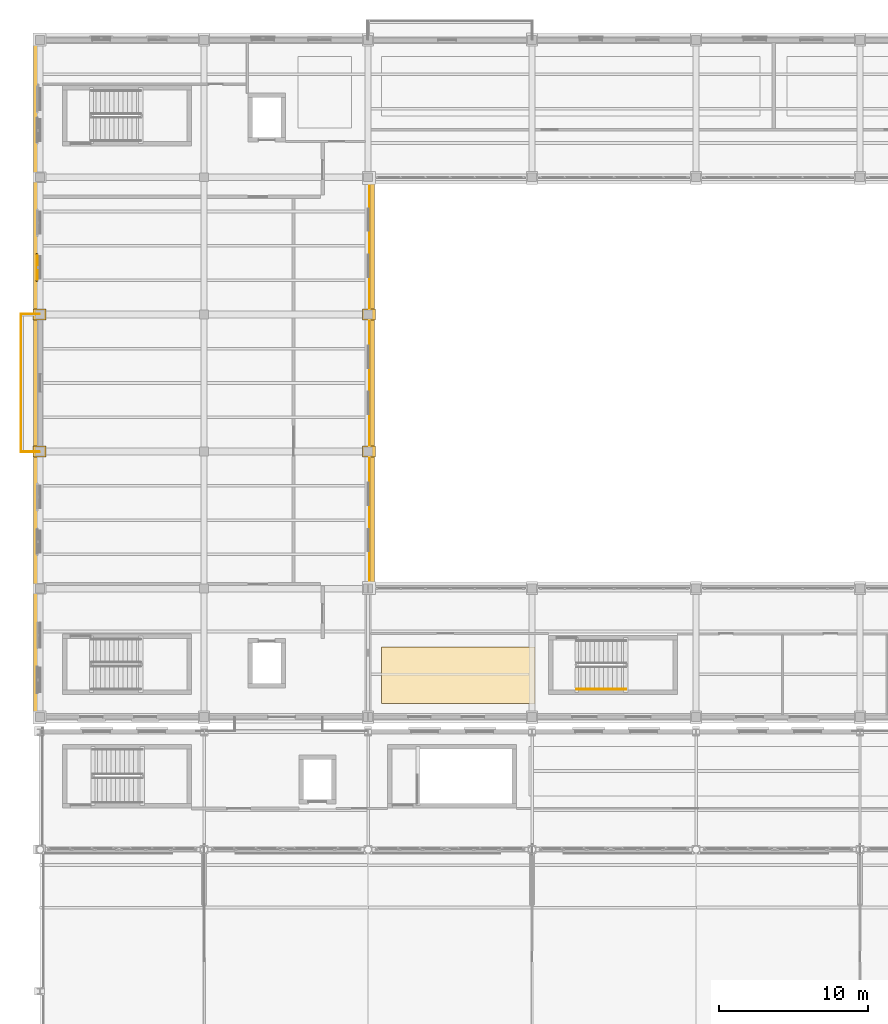
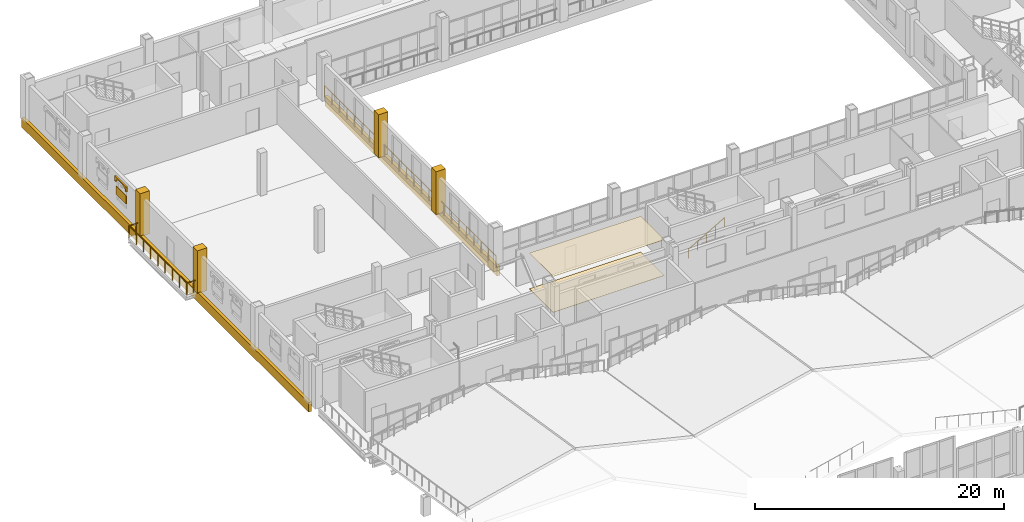
# One storey, part 111 of 120: 9 coverings, 5 railings, 1 shading device.
"""IFC4 building model written with IfcOpenShell, lengths in metres."""

from ifc_helpers import new_model, si_unit, direction, frame, frame_2d, origin, origin_2d, place, context, subcontext, project, spatial, polyline, rectangle, circle, outline, extrude, material, layer, layer_set, type_object, element, save


model = new_model("IFC4")

# Units and contexts
model_context = context("Model", 3, precision=1e-05, world=origin(), true_north=direction((0.0, 1.0)))
body_context = subcontext(model_context, "Body", "Model", "MODEL_VIEW")
ifc_project = project(units=[si_unit("LENGTHUNIT", "METRE"), si_unit("AREAUNIT", "SQUARE_METRE"), si_unit("VOLUMEUNIT", "CUBIC_METRE"), si_unit("PLANEANGLEUNIT", "RADIAN"), si_unit("MASSUNIT", "GRAM", prefix="KILO")], contexts=[model_context])

# Site, building, storey
site_placement = place(None, origin())
site = spatial("IfcSite", under=ifc_project, at=site_placement, CompositionType="ELEMENT")
building_placement = place(site_placement, origin())
building = spatial("IfcBuilding", under=site, at=building_placement, Name="Caurita Quay Ferry Terminal", CompositionType="ELEMENT")
storey_placement = place(building_placement, frame((0.0, 0.0, 9.89990234375)))
storey = spatial("IfcBuildingStorey", under=building, at=storey_placement, Name="L02", CompositionType="ELEMENT", Elevation=9.89990234375)

# Coverings
ifc_material_1 = material(Name="Acoustic mineral fibre tile", Category="finish")
ifc_layer_1 = layer(ifc_material_1, 0.02001953125, Name="Acoustic mineral-fibre suspended ceiling 20 mm")
ifc_layer_set_1 = layer_set([ifc_layer_1], Name="Acoustic mineral fibre tile")
covering_type_1 = type_object("IfcCoveringType", Name="COV-CEIL-020", PredefinedType="CEILING", material=ifc_layer_set_1)
covering_1_placement = place(storey_placement, frame((0.0, 0.0, 3.51220703125)))
element("IfcCovering", 1, at=covering_1_placement, inside=storey, type_object=covering_type_1, Name="Port Boardroom and Hearing Room Acoustic Ceiling", PredefinedType="CEILING", context=body_context, shape_type="SweptSolid", body=[
    extrude(outline(polyline([(22.89990234375, 72.5), (33.199951171875, 72.5), (33.199951171875, 76.300048828125), (22.89990234375, 76.300048828125), (22.89990234375, 72.5)])), origin(), (0.0, 0.0, 1.0), 0.019775390625),
])
ifc_material_2 = material(Name="Coral stone ashlar cladding", Category="masonry")
ifc_layer_2 = layer(ifc_material_2, 0.239990234375, Name="Classical coral-stone entablature and cornice moulding 240 mm")
ifc_layer_set_2 = layer_set([ifc_layer_2], Name="Coral stone ashlar cladding")
covering_type_2 = type_object("IfcCoveringType", Name="COV-ENT-MLD", PredefinedType="MOLDING", material=ifc_layer_set_2)
covering_2_placement = place(storey_placement, frame((-0.300048828125, 117.300048828125, -0.849853515625), z_axis=(0.0, 0.0, 1.0), x_axis=(0.0, -1.0, 0.0)))
element("IfcCovering", 2, at=covering_2_placement, inside=storey, type_object=covering_type_2, Name="L02 Classical Entablature Cornice 007", PredefinedType="MOLDING", context=body_context, shape_type="SweptSolid", body=[
    extrude(rectangle(XDim=46.0, YDim=0.280029296875, at=frame_2d((23.0, 0.0))), origin(), (0.0, 0.0, 1.0), 0.929931640625),
])
covering_3_placement = place(storey_placement, frame((22.280029296875, 80.199951171875, -0.849853515625), z_axis=(0.0, 0.0, 1.0), x_axis=(0.0, 1.0, 0.0)))
element("IfcCovering", 3, at=covering_3_placement, inside=storey, type_object=covering_type_2, Name="L02 Classical Entablature Cornice 025", PredefinedType="MOLDING", context=body_context, shape_type="SweptSolid", body=[
    extrude(rectangle(XDim=27.60009765625, YDim=0.280029296875, at=frame_2d((13.800048828125, 0.0))), origin(), (0.0, 0.0, 1.0), 0.929931640625),
])
ifc_material_3 = material(Name="Polished marine terrazzo tile", Category="finish")
ifc_layer_3 = layer(ifc_material_3, 0.02490234375, Name="Polished marine terrazzo floor finish 25 mm")
ifc_layer_set_3 = layer_set([ifc_layer_3], Name="Polished marine terrazzo tile")
covering_type_3 = type_object("IfcCoveringType", Name="COV-FLR-025", PredefinedType="FLOORING", material=ifc_layer_set_3)
covering_4_placement = place(storey_placement, origin())
element("IfcCovering", 4, at=covering_4_placement, inside=storey, type_object=covering_type_3, Name="Port Boardroom and Hearing Room Terrazzo Flooring", PredefinedType="FLOORING", context=body_context, shape_type="SweptSolid", body=[
    extrude(outline(polyline([(22.89990234375, 72.5), (33.199951171875, 72.5), (33.199951171875, 76.300048828125), (22.89990234375, 76.300048828125), (22.89990234375, 72.5)])), origin(), (0.0, 0.0, 1.0), 0.025146484375),
])
ifc_material_4 = material(Name="Warm-white lime stucco masonry", Category="masonry")
ifc_layer_4 = layer(ifc_material_4, 0.179931640625, Name="Classical engaged lime-stucco facade pilaster cladding 180 mm")
ifc_layer_set_4 = layer_set([ifc_layer_4], Name="Warm-white lime stucco masonry")
covering_type_4 = type_object("IfcCoveringType", Name="COV-PIL-CLD", PredefinedType="CLADDING", material=ifc_layer_set_4)
for number, where, z_axis, x_axis, name in (
    (5, (-0.050048828125, 89.39990234375, 0.0), (0.0, 0.0, 1.0), (1.0, 0.0, 0.0), "L02 Classical Engaged Pilaster 0278"),
    (6, (-0.050048828125, 98.60009765625, 0.0), (0.0, 0.0, 1.0), (1.0, 0.0, 0.0), "L02 Classical Engaged Pilaster 0283"),
    (7, (22.050048828125, 89.39990234375, 0.0), (0.0, 0.0, 1.0), (1.0, 0.0, 0.0), "L02 Classical Engaged Pilaster 0314"),
    (8, (22.050048828125, 98.60009765625, 0.0), (0.0, 0.0, 1.0), (1.0, 0.0, 0.0), "L02 Classical Engaged Pilaster 0317"),
):
    element("IfcCovering", number, at=place(storey_placement, frame(where, z_axis=z_axis, x_axis=x_axis)), inside=storey, type_object=covering_type_4, Name=name, PredefinedType="CLADDING", context=body_context, shape_type="SweptSolid", body=[
        extrude(rectangle(XDim=0.8798828125, YDim=0.719970703125, at=origin_2d()), origin(), (0.0, 0.0, 1.0), 4.199951171875),
    ])
ifc_layer_5 = layer(ifc_material_2, 0.139892578125, Name="Spanish Colonial semicircular arched window surround 140 mm")
ifc_layer_set_5 = layer_set([ifc_layer_5], Name="Coral stone ashlar cladding")
covering_type_5 = type_object("IfcCoveringType", Name="COV-WHD-MLD", PredefinedType="MOLDING", material=ifc_layer_set_5)
covering_5_placement = place(storey_placement, frame((-0.215087890625, 102.679931640625, 2.72998046875), z_axis=(0.0, 0.0, 1.0), x_axis=(0.0, -1.0, 0.0)))
element("IfcCovering", 9, at=covering_5_placement, inside=storey, type_object=covering_type_5, Name="L02 Arched Window Surround 043", PredefinedType="MOLDING", context=body_context, shape_type="SweptSolid", body=[
    extrude(outline(polyline([(0.0, 0.0), (0.159912109375, 0.0), (0.159912109375, 0.0400390625), (0.19775390625, 0.1513671875), (0.30712890625, 0.251708984375), (0.477294921875, 0.331298828125), (0.69189453125, 0.38232421875), (0.929931640625, 0.39990234375), (1.16796875, 0.38232421875), (1.382568359375, 0.331298828125), (1.552734375, 0.251708984375), (1.662109375, 0.1513671875), (1.699951171875, 0.0400390625), (1.699951171875, 0.0), (1.85986328125, 0.0), (1.85986328125, 0.480224609375), (0.0, 0.480224609375), (0.0, 0.0)])), frame((0.0, 0.06982421875, 0.0), z_axis=(0.0, -1.0, 0.0), x_axis=(1.0, 0.0, 0.0)), (0.0, 0.0, 1.0), 0.139892578125),
])

# Railings
ifc_material_5 = material(Name="Bronze architectural metalwork", Category="metal")
railing_type_1 = type_object("IfcRailingType", Name="RL-HND-090", PredefinedType="HANDRAIL", material=ifc_material_5)
railing_1_placement = place(storey_placement, frame((36.0, 73.449951171875, 0.175048828125)))
element("IfcRailing", 10, at=railing_1_placement, inside=storey, type_object=railing_type_1, Name="L02 ST-03 stair handrail 1", PredefinedType="HANDRAIL", context=body_context, shape_type="SweptSolid", body=[
    extrude(circle(Radius=0.02392578125, at=origin_2d()), frame((0.0, 0.0, 0.8759765625), z_axis=(0.863776583165, 0.0, 0.503874998761), x_axis=(0.0, 1.0, 0.0)), (0.0, 0.0, 1.0), 3.820556640625),
    extrude(circle(Radius=0.02099609375, at=origin_2d()), origin(), (0.0, 0.0, 1.0), 0.851806640625),
    extrude(circle(Radius=0.02099609375, at=origin_2d()), frame((0.824951171875, 0.0, 0.481201171875)), (0.0, 0.0, 1.0), 0.851806640625),
    extrude(circle(Radius=0.02099609375, at=origin_2d()), frame((1.64990234375, 0.0, 0.96240234375)), (0.0, 0.0, 1.0), 0.851806640625),
    extrude(circle(Radius=0.02099609375, at=origin_2d()), frame((2.47509765625, 0.0, 1.44384765625)), (0.0, 0.0, 1.0), 0.851806640625),
    extrude(circle(Radius=0.02099609375, at=origin_2d()), frame((3.300048828125, 0.0, 1.925048828125)), (0.0, 0.0, 1.0), 0.851806640625),
])
railing_type_2 = type_object("IfcRailingType", Name="RL-REJA-115", PredefinedType="BALUSTRADE", material=ifc_material_5)
railing_2_placement = place(storey_placement, frame((22.10009765625, 107.75, 0.0)))
element("IfcRailing", 11, at=railing_2_placement, inside=storey, type_object=railing_type_2, Name="L02 Courtyard Cloister Guard (089)", PredefinedType="BALUSTRADE", context=body_context, shape_type="SweptSolid", body=[
    extrude(circle(Radius=0.02392578125, at=origin_2d()), frame((0.0, 0.0, 1.1259765625), z_axis=(0.0, -1.0, 0.0), x_axis=(1.0, 0.0, 0.0)), (0.0, 0.0, 1.0), 27.5),
    extrude(circle(Radius=0.02099609375, at=origin_2d()), origin(), (0.0, 0.0, 1.0), 1.101806640625),
    extrude(circle(Radius=0.02099609375, at=origin_2d()), frame((0.0, -1.195556640625, 0.0)), (0.0, 0.0, 1.0), 1.101806640625),
    extrude(circle(Radius=0.02099609375, at=origin_2d()), frame((0.0, -2.391357421875, 0.0)), (0.0, 0.0, 1.0), 1.101806640625),
    extrude(circle(Radius=0.02099609375, at=origin_2d()), frame((0.0, -3.5869140625, 0.0)), (0.0, 0.0, 1.0), 1.101806640625),
    extrude(circle(Radius=0.02099609375, at=origin_2d()), frame((0.0, -4.78271484375, 0.0)), (0.0, 0.0, 1.0), 1.101806640625),
    extrude(circle(Radius=0.02099609375, at=origin_2d()), frame((0.0, -5.978271484375, 0.0)), (0.0, 0.0, 1.0), 1.101806640625),
    extrude(circle(Radius=0.02099609375, at=origin_2d()), frame((0.0, -7.173828125, 0.0)), (0.0, 0.0, 1.0), 1.101806640625),
    extrude(circle(Radius=0.02099609375, at=origin_2d()), frame((0.0, -8.36962890625, 0.0)), (0.0, 0.0, 1.0), 1.101806640625),
    extrude(circle(Radius=0.02099609375, at=origin_2d()), frame((0.0, -9.565185546875, 0.0)), (0.0, 0.0, 1.0), 1.101806640625),
    extrude(circle(Radius=0.02099609375, at=origin_2d()), frame((0.0, -10.760986328125, 0.0)), (0.0, 0.0, 1.0), 1.101806640625),
    extrude(circle(Radius=0.02099609375, at=origin_2d()), frame((0.0, -11.95654296875, 0.0)), (0.0, 0.0, 1.0), 1.101806640625),
    extrude(circle(Radius=0.02099609375, at=origin_2d()), frame((0.0, -13.152099609375, 0.0)), (0.0, 0.0, 1.0), 1.101806640625),
    extrude(circle(Radius=0.02099609375, at=origin_2d()), frame((0.0, -14.347900390625, 0.0)), (0.0, 0.0, 1.0), 1.101806640625),
    extrude(circle(Radius=0.02099609375, at=origin_2d()), frame((0.0, -15.54345703125, 0.0)), (0.0, 0.0, 1.0), 1.101806640625),
    extrude(circle(Radius=0.02099609375, at=origin_2d()), frame((0.0, -16.739013671875, 0.0)), (0.0, 0.0, 1.0), 1.101806640625),
    extrude(circle(Radius=0.02099609375, at=origin_2d()), frame((0.0, -17.934814453125, 0.0)), (0.0, 0.0, 1.0), 1.101806640625),
    extrude(circle(Radius=0.02099609375, at=origin_2d()), frame((0.0, -19.13037109375, 0.0)), (0.0, 0.0, 1.0), 1.101806640625),
    extrude(circle(Radius=0.02099609375, at=origin_2d()), frame((0.0, -20.326171875, 0.0)), (0.0, 0.0, 1.0), 1.101806640625),
    extrude(circle(Radius=0.02099609375, at=origin_2d()), frame((0.0, -21.521728515625, 0.0)), (0.0, 0.0, 1.0), 1.101806640625),
    extrude(circle(Radius=0.02099609375, at=origin_2d()), frame((0.0, -22.71728515625, 0.0)), (0.0, 0.0, 1.0), 1.101806640625),
    extrude(circle(Radius=0.02099609375, at=origin_2d()), frame((0.0, -23.9130859375, 0.0)), (0.0, 0.0, 1.0), 1.101806640625),
    extrude(circle(Radius=0.02099609375, at=origin_2d()), frame((0.0, -25.108642578125, 0.0)), (0.0, 0.0, 1.0), 1.101806640625),
    extrude(circle(Radius=0.02099609375, at=origin_2d()), frame((0.0, -26.304443359375, 0.0)), (0.0, 0.0, 1.0), 1.101806640625),
    extrude(circle(Radius=0.02099609375, at=origin_2d()), frame((0.0, -27.5, 0.0)), (0.0, 0.0, 1.0), 1.101806640625),
])
railing_3_placement = place(storey_placement, frame((-0.050048828125, 89.3798828125, 0.0)))
element("IfcRailing", 12, at=railing_3_placement, inside=storey, type_object=railing_type_2, Name="L02 Heritage Waterfront Rejas Balcony Balustrade (125)", PredefinedType="BALUSTRADE", context=body_context, shape_type="SweptSolid", body=[
    extrude(circle(Radius=0.02392578125, at=origin_2d()), frame((0.0, 0.0, 1.1259765625), z_axis=(-1.0, 0.0, 0.0), x_axis=(0.0, -1.0, 0.0)), (0.0, 0.0, 1.0), 1.22998046875),
    extrude(circle(Radius=0.02099609375, at=origin_2d()), origin(), (0.0, 0.0, 1.0), 1.101806640625),
    extrude(circle(Radius=0.02099609375, at=origin_2d()), frame((-0.614990234375, 0.0, 0.0)), (0.0, 0.0, 1.0), 1.101806640625),
    extrude(circle(Radius=0.02099609375, at=origin_2d()), frame((-1.22998046875, 0.0, 0.0)), (0.0, 0.0, 1.0), 1.101806640625),
])
railing_4_placement = place(storey_placement, frame((-1.280029296875, 89.3798828125, 0.0)))
element("IfcRailing", 13, at=railing_4_placement, inside=storey, type_object=railing_type_2, Name="L02 Heritage Waterfront Rejas Balcony Balustrade (126)", PredefinedType="BALUSTRADE", context=body_context, shape_type="SweptSolid", body=[
    extrude(circle(Radius=0.02392578125, at=origin_2d()), frame((0.0, 0.0, 1.1259765625), z_axis=(0.0, 1.0, 0.0), x_axis=(-1.0, 0.0, 0.0)), (0.0, 0.0, 1.0), 9.240234375),
    extrude(circle(Radius=0.02099609375, at=origin_2d()), origin(), (0.0, 0.0, 1.0), 1.101806640625),
    extrude(circle(Radius=0.02099609375, at=origin_2d()), frame((0.0, 1.155029296875, 0.0)), (0.0, 0.0, 1.0), 1.101806640625),
    extrude(circle(Radius=0.02099609375, at=origin_2d()), frame((0.0, 2.31005859375, 0.0)), (0.0, 0.0, 1.0), 1.101806640625),
    extrude(circle(Radius=0.02099609375, at=origin_2d()), frame((0.0, 3.465087890625, 0.0)), (0.0, 0.0, 1.0), 1.101806640625),
    extrude(circle(Radius=0.02099609375, at=origin_2d()), frame((0.0, 4.6201171875, 0.0)), (0.0, 0.0, 1.0), 1.101806640625),
    extrude(circle(Radius=0.02099609375, at=origin_2d()), frame((0.0, 5.775146484375, 0.0)), (0.0, 0.0, 1.0), 1.101806640625),
    extrude(circle(Radius=0.02099609375, at=origin_2d()), frame((0.0, 6.93017578125, 0.0)), (0.0, 0.0, 1.0), 1.101806640625),
    extrude(circle(Radius=0.02099609375, at=origin_2d()), frame((0.0, 8.085205078125, 0.0)), (0.0, 0.0, 1.0), 1.101806640625),
    extrude(circle(Radius=0.02099609375, at=origin_2d()), frame((0.0, 9.240234375, 0.0)), (0.0, 0.0, 1.0), 1.101806640625),
])
railing_5_placement = place(storey_placement, frame((-1.280029296875, 98.6201171875, 0.0)))
element("IfcRailing", 14, at=railing_5_placement, inside=storey, type_object=railing_type_2, Name="L02 Heritage Waterfront Rejas Balcony Balustrade (127)", PredefinedType="BALUSTRADE", context=body_context, shape_type="SweptSolid", body=[
    extrude(circle(Radius=0.02392578125, at=origin_2d()), frame((0.0, 0.0, 1.1259765625), z_axis=(1.0, 0.0, 0.0), x_axis=(0.0, 1.0, 0.0)), (0.0, 0.0, 1.0), 1.22998046875),
    extrude(circle(Radius=0.02099609375, at=origin_2d()), origin(), (0.0, 0.0, 1.0), 1.101806640625),
    extrude(circle(Radius=0.02099609375, at=origin_2d()), frame((0.614990234375, 0.0, 0.0)), (0.0, 0.0, 1.0), 1.101806640625),
    extrude(circle(Radius=0.02099609375, at=origin_2d()), frame((1.22998046875, 0.0, 0.0)), (0.0, 0.0, 1.0), 1.101806640625),
])

# Shading device
ifc_material_6 = material(Name="Tropical mahogany hardwood", Category="wood")
shading_device_type = type_object("IfcShadingDeviceType", Name="SHD-SHT-01", PredefinedType="SHUTTER", material=ifc_material_6)
shading_device_placement = place(storey_placement, frame((-0.18310546875, 101.75, 1.445068359375), z_axis=(0.0, 0.0, 1.0), x_axis=(0.0, -1.0, 0.0)))
element("IfcShadingDevice", 15, at=shading_device_placement, inside=storey, type_object=shading_device_type, Name="L02 Tropical Window Sun-Breaker 048", PredefinedType="SHUTTER", context=body_context, shape_type="SweptSolid", body=[
    extrude(rectangle(XDim=1.60009765625, YDim=0.06005859375, at=origin_2d()), origin(), (0.0, 0.0, 1.0), 0.81005859375),
])

save(model, "model.ifc")
